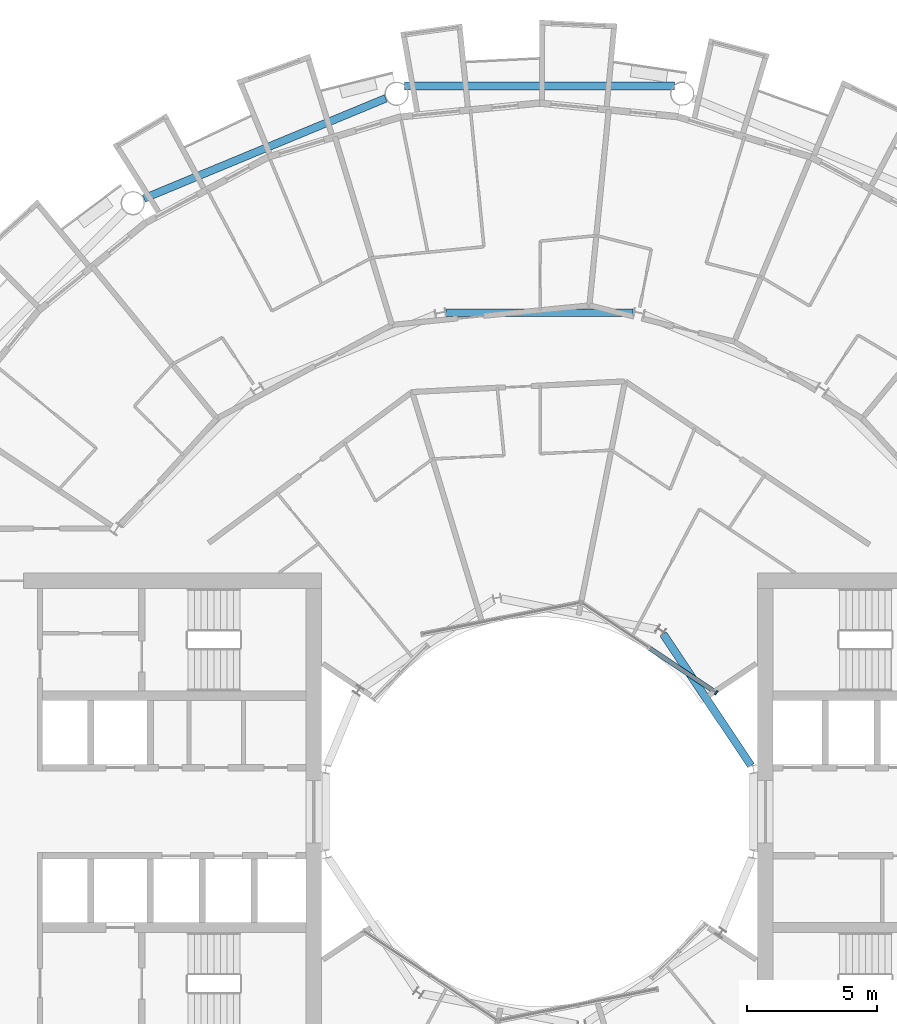
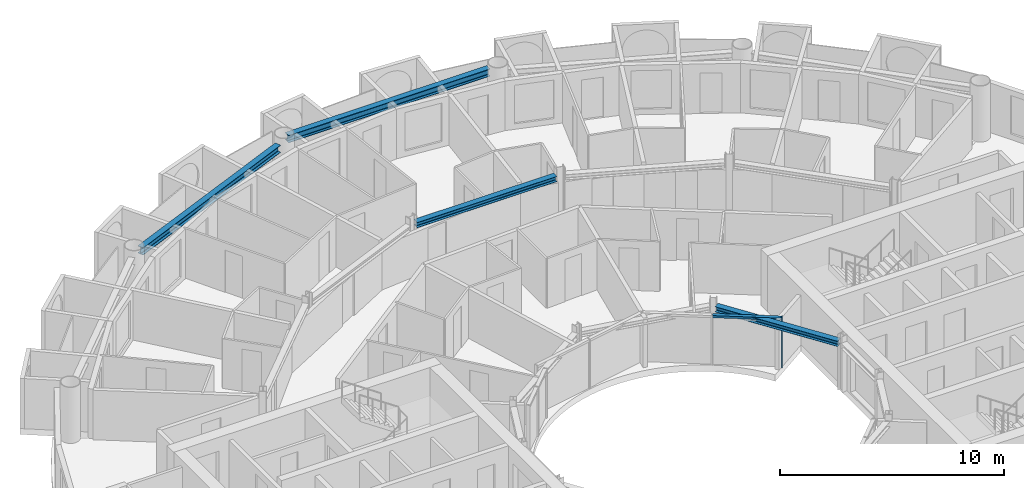
# One storey, part 9 of 27: 4 beams, 2 members, 1 element without a shape of its own.
"""IFC4 building model written with IfcOpenShell, lengths in metres."""

from ifc_helpers import new_model, si_unit, direction, frame, origin, origin_2d, place, context, subcontext, project, spatial, rectangle, i_section, extrude, material, layer, layer_set, material_profile, profile_set, type_object, element, aggregate, save


model = new_model("IFC4")

# Units and contexts
model_context = context("Model", 3, precision=1e-05, world=origin(), true_north=direction((0.0, 1.0)))
body_context = subcontext(model_context, "Body", "Model", "MODEL_VIEW")
ifc_project = project(units=[si_unit("LENGTHUNIT", "METRE"), si_unit("AREAUNIT", "SQUARE_METRE"), si_unit("VOLUMEUNIT", "CUBIC_METRE"), si_unit("PLANEANGLEUNIT", "RADIAN"), si_unit("MASSUNIT", "GRAM", prefix="KILO")], contexts=[model_context])

# Site, building, storey
site_placement = place(None, origin())
site = spatial("IfcSite", under=ifc_project, at=site_placement, CompositionType="ELEMENT")
building_placement = place(site_placement, origin())
building = spatial("IfcBuilding", under=site, at=building_placement, Name="Maasbend Ring Residences", CompositionType="ELEMENT")
storey_placement = place(building_placement, frame((0.0, 0.0, 126.89990234375)))
storey = spatial("IfcBuildingStorey", under=building, at=storey_placement, Name="L36", CompositionType="ELEMENT", Elevation=126.89990234375)

# Curtain wall, members
ifc_material_1 = material(Name="Aluminium and clear glass", Category="aluminium")
ifc_layer = layer(ifc_material_1, 0.179931640625)
ifc_layer_set = layer_set([ifc_layer], Name="CW-W")
curtain_wall_type = type_object("IfcCurtainWallType", Name="CW-W", PredefinedType="NOTDEFINED", material=ifc_layer_set)
curtain_wall_placement = place(storey_placement, origin())
curtain_wall = element("IfcCurtainWall", 1, at=curtain_wall_placement, inside=storey, type_object=curtain_wall_type, Name="Well curtain wall N1", PredefinedType="NOTDEFINED")
ifc_material_2 = material(Name="Aluminium 6063-T6", Category="aluminium")
ifc_material_profile_1 = material_profile(ifc_material_2, rectangle(XDim=0.179931640625, YDim=0.06005859375, at=origin_2d()), Name="AL 180x60")
ifc_profile_set_1 = profile_set([ifc_material_profile_1], Name="Aluminium 6063-T6")
member_type_1 = type_object("IfcMemberType", Name="CWM-W", PredefinedType="MULLION", material=ifc_profile_set_1)
member_1_placement = place(storey_placement, frame((6.805908203125, 4.580810546875, 0.0), z_axis=(0.0, 0.0, 1.0), x_axis=(-0.55557023302, -0.831469612303, 0.0)))
member_1 = element("IfcMember", 2, at=member_1_placement, type_object=member_type_1, Name="Mullion well face", PredefinedType="MULLION", context=body_context, shape_type="SweptSolid", body=[
    extrude(rectangle(XDim=0.179931640625, YDim=0.06005859375, at=origin_2d()), origin(), (0.0, 0.0, 1.0), 2.7001953125),
])
ifc_material_3 = material(Name="Aluminium 6063-T6", Category="aluminium")
ifc_material_profile_2 = material_profile(ifc_material_3, rectangle(XDim=0.179931640625, YDim=0.1201171875, at=origin_2d()), Name="AL 180x120")
ifc_profile_set_2 = profile_set([ifc_material_profile_2], Name="Aluminium 6063-T6")
member_type_2 = type_object("IfcMemberType", Name="CWT-W", PredefinedType="USERDEFINED", material=ifc_profile_set_2)
member_2_placement = place(storey_placement, frame((6.781005859375, 4.59765625, 2.64013671875), z_axis=(-0.831496422459, 0.555530106689, 0.0), x_axis=(-0.555530106689, -0.831496422459, 0.0)))
member_2 = element("IfcMember", 3, at=member_2_placement, type_object=member_type_2, Name="Transom well face", ObjectType="TRANSOM", PredefinedType="USERDEFINED", context=body_context, shape_type="SweptSolid", body=[
    extrude(rectangle(XDim=0.179931640625, YDim=0.1201171875, at=origin_2d()), origin(), (0.0, 0.0, 1.0), 3.053955078125),
])
aggregate(curtain_wall, [member_1, member_2])

# Beams
ifc_material_4 = material(Name="Steel S355J2", Category="steel")
ifc_material_profile_3 = material_profile(ifc_material_4, i_section(OverallWidth=0.300048828125, OverallDepth=0.2900390625, WebThickness=0.008544921875, FlangeThickness=0.013916015625, FilletRadius=0.027099609375, at=origin_2d()), Name="HEA 300")
ifc_profile_set_3 = profile_set([ifc_material_profile_3], Name="Steel S355J2")
beam_type_1 = type_object("IfcBeamType", Name="Corridor ring beam HEA 300", PredefinedType="BEAM", material=ifc_profile_set_3)
beam_1_placement = place(storey_placement, frame((3.603515625, 19.223388671875, 2.55517578125), z_axis=(-1.0, 0.0, 0.0), x_axis=(0.0, -1.0, 0.0)))
element("IfcBeam", 4, at=beam_1_placement, inside=storey, type_object=beam_type_1, Name="Corridor ring beam", PredefinedType="BEAM", context=body_context, shape_type="SweptSolid", body=[
    extrude(i_section(OverallWidth=0.300048828125, OverallDepth=0.2900390625, WebThickness=0.008544921875, FlangeThickness=0.013916015625, FilletRadius=0.027099609375, at=origin_2d()), origin(), (0.0, 0.0, 1.0), 7.20703125),
])
ifc_material_5 = material(Name="Steel S355J2", Category="steel")
ifc_material_profile_4 = material_profile(ifc_material_5, i_section(OverallWidth=0.300048828125, OverallDepth=0.39990234375, WebThickness=0.013427734375, FlangeThickness=0.02392578125, FilletRadius=0.027099609375, at=origin_2d()), Name="HEB 400")
ifc_profile_set_4 = profile_set([ifc_material_profile_4], Name="Steel S355J2")
beam_type_2 = type_object("IfcBeamType", Name="Spandrel ring beam HEB 400", PredefinedType="SPANDREL", material=ifc_profile_set_4)
beam_2_placement = place(storey_placement, frame((5.194580078125, 27.9580078125, 2.5), z_axis=(-1.0, 0.0, 0.0), x_axis=(0.0, -1.0, 0.0)))
element("IfcBeam", 5, at=beam_2_placement, inside=storey, type_object=beam_type_2, Name="Spandrel ring beam", PredefinedType="SPANDREL", context=body_context, shape_type="SweptSolid", body=[
    extrude(i_section(OverallWidth=0.300048828125, OverallDepth=0.39990234375, WebThickness=0.013427734375, FlangeThickness=0.02392578125, FilletRadius=0.027099609375, at=origin_2d()), origin(), (0.0, 0.0, 1.0), 10.38916015625),
])
beam_3_placement = place(storey_placement, frame((-5.923583984375, 27.483154296875, 2.5), z_axis=(-0.92388529709, -0.382669515144, 0.0), x_axis=(0.382669515144, -0.92388529709, 0.0)))
element("IfcBeam", 6, at=beam_3_placement, inside=storey, type_object=beam_type_2, Name="Spandrel ring beam", PredefinedType="SPANDREL", context=body_context, shape_type="SweptSolid", body=[
    extrude(i_section(OverallWidth=0.300048828125, OverallDepth=0.39990234375, WebThickness=0.013427734375, FlangeThickness=0.02392578125, FilletRadius=0.027099609375, at=origin_2d()), origin(), (0.0, 0.0, 1.0), 10.089111328125),
])
ifc_material_6 = material(Name="Steel S355J2", Category="steel")
ifc_material_profile_5 = material_profile(ifc_material_6, i_section(OverallWidth=0.300048828125, OverallDepth=0.2900390625, WebThickness=0.008544921875, FlangeThickness=0.013916015625, FilletRadius=0.027099609375, at=origin_2d()), Name="HEA 300")
ifc_profile_set_5 = profile_set([ifc_material_profile_5], Name="Steel S355J2")
beam_type_3 = type_object("IfcBeamType", Name="Well edge beam HEA 300", PredefinedType="BEAM", material=ifc_profile_set_5)
beam_4_placement = place(storey_placement, frame((8.1484375, 1.773681640625, 2.55517578125), z_axis=(-0.555558236289, 0.831477628137, 0.0), x_axis=(-0.831477628137, -0.555558236289, 0.0)))
element("IfcBeam", 7, at=beam_4_placement, inside=storey, type_object=beam_type_3, Name="Well edge beam", PredefinedType="BEAM", context=body_context, shape_type="SweptSolid", body=[
    extrude(i_section(OverallWidth=0.300048828125, OverallDepth=0.2900390625, WebThickness=0.008544921875, FlangeThickness=0.013916015625, FilletRadius=0.027099609375, at=origin_2d()), origin(), (0.0, 0.0, 1.0), 6.1044921875),
])

save(model, "model.ifc")
